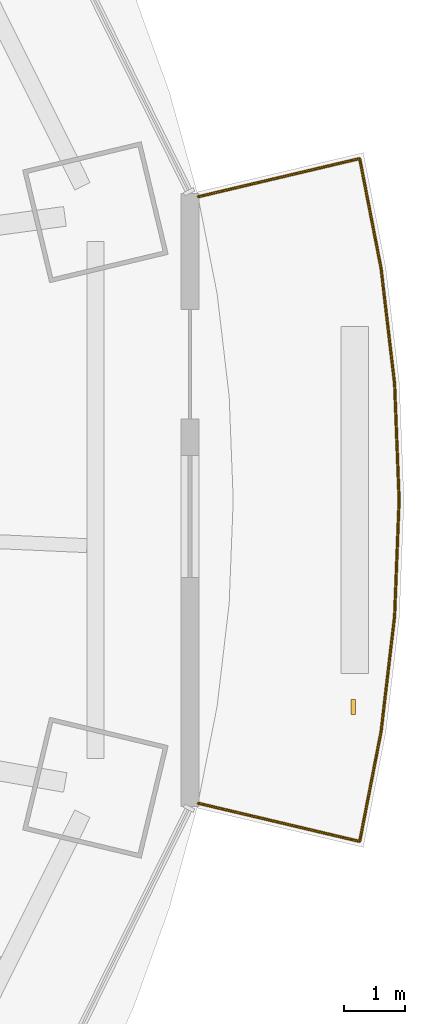
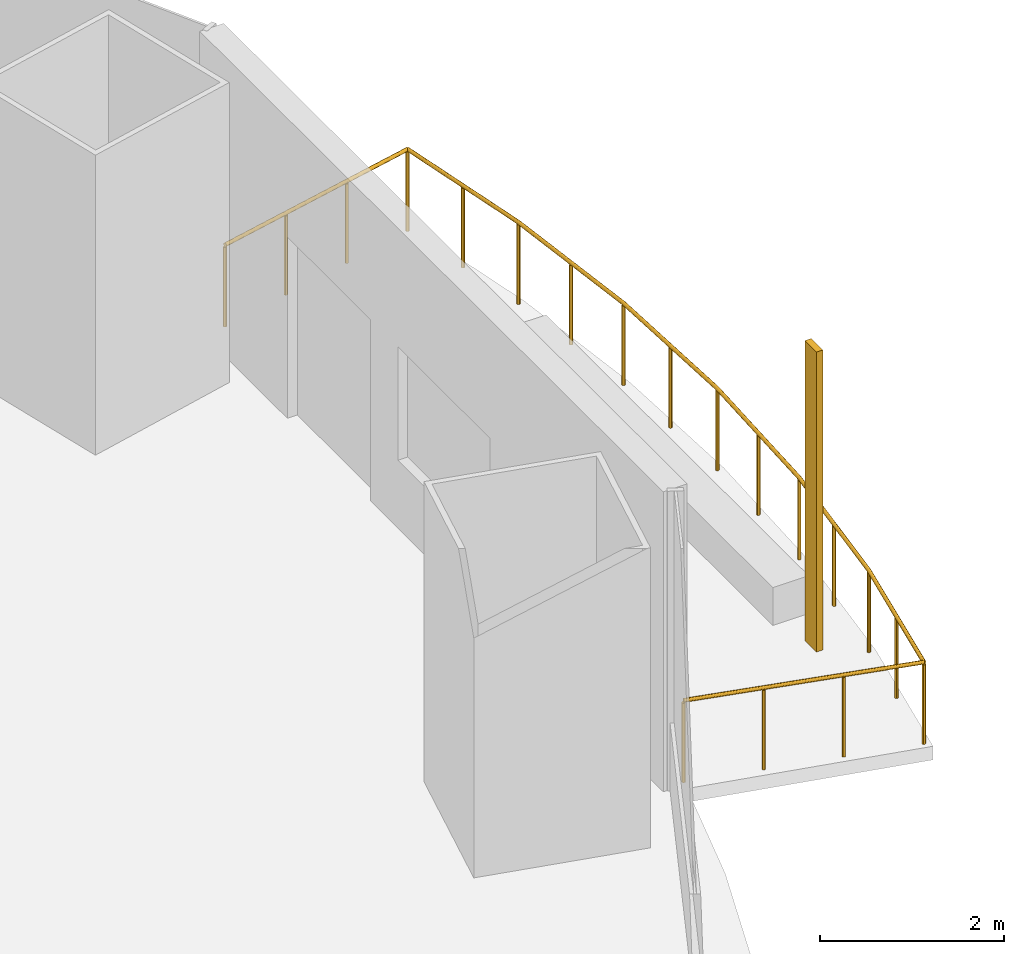
# One storey, part 18 of 19: 1 railing, 1 shading device.
"""IFC4 building model written with IfcOpenShell, lengths in metres."""

from ifc_helpers import new_model, si_unit, direction, frame, origin, origin_2d, place, context, subcontext, project, spatial, rectangle, circle, extrude, material, material_profile, profile_set, type_object, element, save


model = new_model("IFC4")

# Units and contexts
model_context = context("Model", 3, precision=1e-05, world=origin(), true_north=direction((0.0, 1.0)))
body_context = subcontext(model_context, "Body", "Model", "MODEL_VIEW")
ifc_project = project(units=[si_unit("LENGTHUNIT", "METRE"), si_unit("AREAUNIT", "SQUARE_METRE"), si_unit("VOLUMEUNIT", "CUBIC_METRE"), si_unit("PLANEANGLEUNIT", "RADIAN"), si_unit("MASSUNIT", "GRAM", prefix="KILO")], contexts=[model_context])

# Site, building, storey
site_placement = place(None, origin())
site = spatial("IfcSite", under=ifc_project, at=site_placement, CompositionType="ELEMENT")
building_placement = place(site_placement, origin())
building = spatial("IfcBuilding", under=site, at=building_placement, Name="Marenthal Gate Tower", CompositionType="ELEMENT")
storey_placement = place(building_placement, frame((0.0, 0.0, 231.60009765625)))
storey = spatial("IfcBuildingStorey", under=building, at=storey_placement, Name="L51", CompositionType="ELEMENT", Elevation=231.60009765625)

# Railing
ifc_material_1 = material(Name="Stainless steel", Category="steel")
railing_type = type_object("IfcRailingType", Name="Balcony guard 1100", PredefinedType="GUARDRAIL", material=ifc_material_1)
railing_placement = place(storey_placement, frame((32.034423828125, 4.3720703125, 0.0)))
element("IfcRailing", 1, at=railing_placement, inside=storey, type_object=railing_type, Name="Balcony guard L51 bay 16", PredefinedType="GUARDRAIL", context=body_context, shape_type="SweptSolid", body=[
    extrude(circle(Radius=0.02392578125, at=origin_2d()), frame((0.0, 0.0, 1.076171875), z_axis=(0.973052153091, 0.230114897669, -0.014718737604), x_axis=(-0.230139827907, 0.97315757183, 0.0)), (0.0, 0.0, 1.0), 2.72021484375),
    extrude(circle(Radius=0.02392578125, at=origin_2d()), frame((2.64697265625, 0.6259765625, 1.0361328125), z_axis=(0.191194170829, -0.981552234494, 0.0), x_axis=(0.981552234494, 0.191194170829, 0.0)), (0.0, 0.0, 1.0), 1.832275390625),
    extrude(circle(Radius=0.02392578125, at=origin_2d()), frame((2.997314453125, -1.172607421875, 1.0361328125), z_axis=(0.116314112708, -0.993212478368, 0.0), x_axis=(0.993212478368, 0.116314112708, 0.0)), (0.0, 0.0, 1.0), 1.907958984375),
    extrude(circle(Radius=0.02392578125, at=origin_2d()), frame((3.21923828125, -3.067626953125, 1.0361328125), z_axis=(0.038939806905, -0.999241558102, 0.0), x_axis=(0.999241558102, 0.038939806905, 0.0)), (0.0, 0.0, 1.0), 1.906005859375),
    extrude(circle(Radius=0.02392578125, at=origin_2d()), frame((3.29345703125, -4.97216796875, 1.0361328125), z_axis=(-0.038944791616, -0.999241363839, 0.0), x_axis=(0.999241363839, -0.038944791616, 0.0)), (0.0, 0.0, 1.0), 1.90576171875),
    extrude(circle(Radius=0.02392578125, at=origin_2d()), frame((3.21923828125, -6.87646484375, 1.0361328125), z_axis=(-0.116314112708, -0.993212478368, 0.0), x_axis=(0.993212478368, -0.116314112708, 0.0)), (0.0, 0.0, 1.0), 1.907958984375),
    extrude(circle(Radius=0.02392578125, at=origin_2d()), frame((2.997314453125, -8.771484375, 1.0361328125), z_axis=(-0.191194170829, -0.981552234494, 0.0), x_axis=(0.981552234494, -0.191194170829, 0.0)), (0.0, 0.0, 1.0), 1.832275390625),
    extrude(circle(Radius=0.02392578125, at=origin_2d()), frame((2.64697265625, -10.570068359375, 1.0361328125), z_axis=(-0.973052153091, 0.230114897669, 0.014718737604), x_axis=(-0.230139827907, -0.97315757183, 0.0)), (0.0, 0.0, 1.0), 2.72021484375),
    extrude(circle(Radius=0.02099609375, at=origin_2d()), origin(), (0.0, 0.0, 1.0), 1.052001953125),
    extrude(circle(Radius=0.02099609375, at=origin_2d()), frame((0.88232421875, 0.208740234375, -0.013427734375)), (0.0, 0.0, 1.0), 1.052001953125),
    extrude(circle(Radius=0.02099609375, at=origin_2d()), frame((1.7646484375, 0.417236328125, -0.026611328125)), (0.0, 0.0, 1.0), 1.052001953125),
    extrude(circle(Radius=0.02099609375, at=origin_2d()), frame((2.64697265625, 0.6259765625, -0.0400390625)), (0.0, 0.0, 1.0), 1.052001953125),
    extrude(circle(Radius=0.02099609375, at=origin_2d()), frame((2.822265625, -0.2734375, -0.0400390625)), (0.0, 0.0, 1.0), 1.052001953125),
    extrude(circle(Radius=0.02099609375, at=origin_2d()), frame((2.997314453125, -1.172607421875, -0.0400390625)), (0.0, 0.0, 1.0), 1.052001953125),
    extrude(circle(Radius=0.02099609375, at=origin_2d()), frame((3.1083984375, -2.1201171875, -0.0400390625)), (0.0, 0.0, 1.0), 1.052001953125),
    extrude(circle(Radius=0.02099609375, at=origin_2d()), frame((3.21923828125, -3.067626953125, -0.0400390625)), (0.0, 0.0, 1.0), 1.052001953125),
    extrude(circle(Radius=0.02099609375, at=origin_2d()), frame((3.25634765625, -4.02001953125, -0.0400390625)), (0.0, 0.0, 1.0), 1.052001953125),
    extrude(circle(Radius=0.02099609375, at=origin_2d()), frame((3.29345703125, -4.97216796875, -0.0400390625)), (0.0, 0.0, 1.0), 1.052001953125),
    extrude(circle(Radius=0.02099609375, at=origin_2d()), frame((3.25634765625, -5.92431640625, -0.0400390625)), (0.0, 0.0, 1.0), 1.052001953125),
    extrude(circle(Radius=0.02099609375, at=origin_2d()), frame((3.21923828125, -6.87646484375, -0.0400390625)), (0.0, 0.0, 1.0), 1.052001953125),
    extrude(circle(Radius=0.02099609375, at=origin_2d()), frame((3.1083984375, -7.823974609375, -0.0400390625)), (0.0, 0.0, 1.0), 1.052001953125),
    extrude(circle(Radius=0.02099609375, at=origin_2d()), frame((2.997314453125, -8.771484375, -0.0400390625)), (0.0, 0.0, 1.0), 1.052001953125),
    extrude(circle(Radius=0.02099609375, at=origin_2d()), frame((2.822265625, -9.6708984375, -0.0400390625)), (0.0, 0.0, 1.0), 1.052001953125),
    extrude(circle(Radius=0.02099609375, at=origin_2d()), frame((2.64697265625, -10.570068359375, -0.0400390625)), (0.0, 0.0, 1.0), 1.052001953125),
    extrude(circle(Radius=0.02099609375, at=origin_2d()), frame((1.7646484375, -10.361328125, -0.026611328125)), (0.0, 0.0, 1.0), 1.052001953125),
    extrude(circle(Radius=0.02099609375, at=origin_2d()), frame((0.88232421875, -10.15283203125, -0.013427734375)), (0.0, 0.0, 1.0), 1.052001953125),
    extrude(circle(Radius=0.02099609375, at=origin_2d()), frame((0.0, -9.944091796875, 0.0)), (0.0, 0.0, 1.0), 1.052001953125),
])

# Shading device
ifc_material_2 = material(Name="Terracotta", Category="masonry")
ifc_material_profile = material_profile(ifc_material_2, rectangle(XDim=0.25, YDim=0.080078125, at=origin_2d()), Name="Terracotta baguette 250x80")
ifc_profile_set = profile_set([ifc_material_profile], Name="Terracotta")
shading_device_type = type_object("IfcShadingDeviceType", Name="Terracotta BAGUETTE SCREEN 250x80", PredefinedType="USERDEFINED", material=ifc_profile_set)
shading_device_placement = place(storey_placement, frame((34.574951171875, -3.994873046875, -0.0400390625), z_axis=(0.0, 0.0, 1.0), x_axis=(0.0, 1.0, 0.0)))
element("IfcShadingDevice", 2, at=shading_device_placement, inside=storey, type_object=shading_device_type, Name="Terracotta BAGUETTE L51 bay 16L", ObjectType="BAGUETTE SCREEN", PredefinedType="USERDEFINED", context=body_context, shape_type="SweptSolid", body=[
    extrude(rectangle(XDim=0.25, YDim=0.080078125, at=origin_2d()), origin(), (0.0, 0.0, 1.0), 3.969970703125),
])

save(model, "model.ifc")
